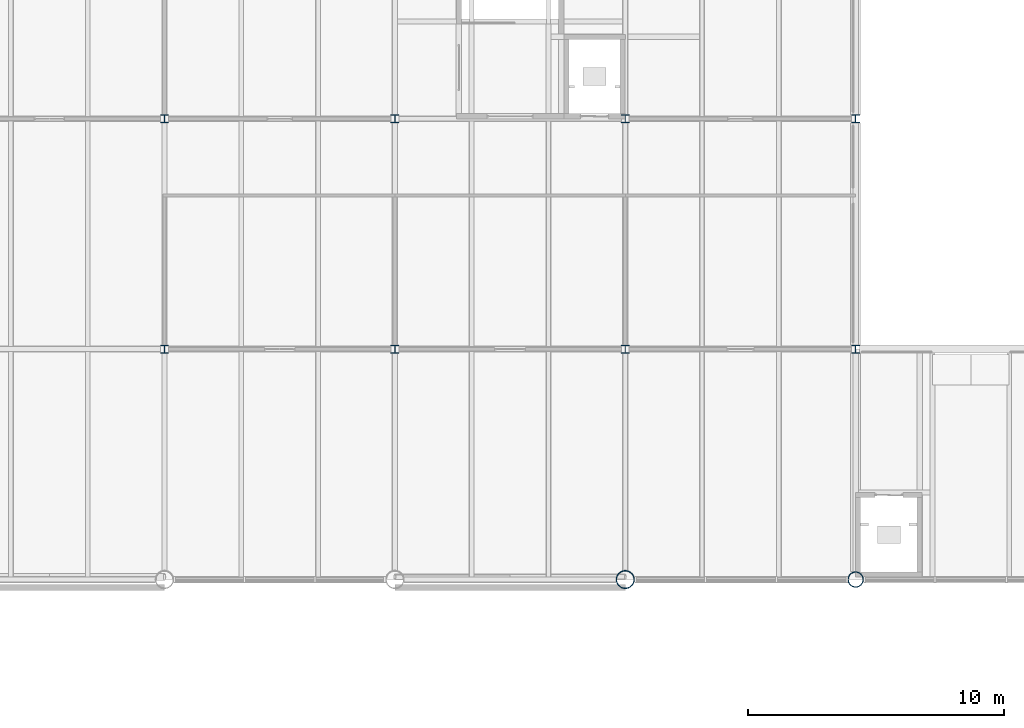
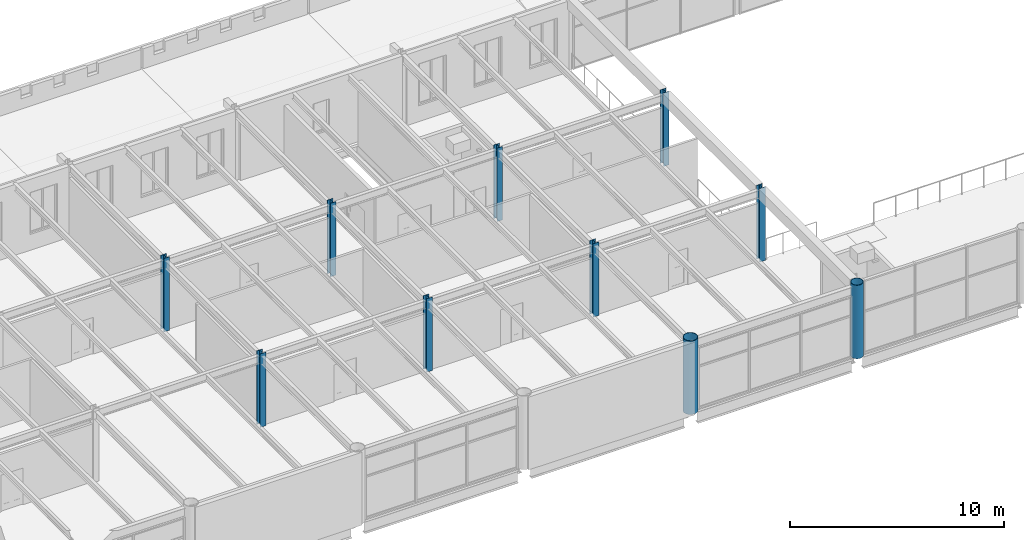
# One storey, part 9 of 123: 10 columns.
"""IFC4 building model written with IfcOpenShell, lengths in metres."""

from ifc_helpers import new_model, si_unit, direction, frame, origin, origin_2d, place, context, subcontext, project, spatial, hollow_circle, i_section, extrude, material, material_profile, profile_set, type_object, element, save


model = new_model("IFC4")

# Units and contexts
model_context = context("Model", 3, precision=1e-05, world=origin(), true_north=direction((0.0, 1.0)))
body_context = subcontext(model_context, "Body", "Model", "MODEL_VIEW")
ifc_project = project(units=[si_unit("LENGTHUNIT", "METRE"), si_unit("AREAUNIT", "SQUARE_METRE"), si_unit("VOLUMEUNIT", "CUBIC_METRE"), si_unit("PLANEANGLEUNIT", "RADIAN"), si_unit("MASSUNIT", "GRAM", prefix="KILO")], contexts=[model_context])

# Site, building, storey
site_placement = place(None, origin())
site = spatial("IfcSite", under=ifc_project, at=site_placement, CompositionType="ELEMENT")
building_placement = place(site_placement, origin())
building = spatial("IfcBuilding", under=site, at=building_placement, Name="Baradari Gate Terminus", CompositionType="ELEMENT")
storey_placement = place(building_placement, frame((0.0, 0.0, 7.5)))
storey = spatial("IfcBuildingStorey", under=building, at=storey_placement, Name="L01", CompositionType="ELEMENT", Elevation=7.5)

# Columns
ifc_material_1 = material(Name="Steel S355", Category="steel")
ifc_material_profile_1 = material_profile(ifc_material_1, hollow_circle(Radius=0.35546875, WallThickness=0.02490234375, at=origin_2d()), Name="CHS 711x25")
ifc_profile_set_1 = profile_set([ifc_material_profile_1], Name="Steel S355")
column_type_1 = type_object("IfcColumnType", Name="Braced north shed column C10 CHS 711x25", PredefinedType="COLUMN", material=ifc_profile_set_1)
column_1_placement = place(storey_placement, frame((126.0, 81.0, 0.0), z_axis=(0.0, 0.0, 1.0), x_axis=(1.0, 0.0, 0.0)))
element("IfcColumn", 1, at=column_1_placement, inside=storey, type_object=column_type_1, Name="C10 column 15-K L01", PredefinedType="COLUMN", context=body_context, shape_type="SweptSolid", body=[
    extrude(hollow_circle(Radius=0.35546875, WallThickness=0.02490234375, at=origin_2d()), origin(), (0.0, 0.0, 1.0), 4.199951171875),
])
ifc_material_2 = material(Name="Steel S355", Category="steel")
ifc_material_profile_2 = material_profile(ifc_material_2, i_section(OverallWidth=0.307373046875, OverallDepth=0.314453125, WebThickness=0.011962890625, FlangeThickness=0.018798828125, FilletRadius=0.01513671875, at=origin_2d()), Name="UC 305x305x118")
ifc_profile_set_2 = profile_set([ifc_material_profile_2], Name="Steel S355")
column_type_2 = type_object("IfcColumnType", Name="Head-house column C07 UC 305x305x118", PredefinedType="COLUMN", material=ifc_profile_set_2)
for number, where, z_axis, x_axis, name in (
    (2, (108.0, 90.0, 0.0), (0.0, 0.0, 1.0), (1.0, 0.0, 0.0), "C07 column 13-L L01"),
    (3, (108.0, 99.0, 0.0), (0.0, 0.0, 1.0), (1.0, 0.0, 0.0), "C07 column 13-M L01"),
    (4, (117.0, 90.0, 0.0), (0.0, 0.0, 1.0), (1.0, 0.0, 0.0), "C07 column 14-L L01"),
    (5, (117.0, 99.0, 0.0), (0.0, 0.0, 1.0), (1.0, 0.0, 0.0), "C07 column 14-M L01"),
    (6, (126.0, 90.0, 0.0), (0.0, 0.0, 1.0), (1.0, 0.0, 0.0), "C07 column 15-L L01"),
    (7, (126.0, 99.0, 0.0), (0.0, 0.0, 1.0), (1.0, 0.0, 0.0), "C07 column 15-M L01"),
    (8, (135.0, 90.0, 0.0), (0.0, 0.0, 1.0), (1.0, 0.0, 0.0), "C07 column 16-L L01"),
    (9, (135.0, 99.0, 0.0), (0.0, 0.0, 1.0), (1.0, 0.0, 0.0), "C07 column 16-M L01"),
):
    element("IfcColumn", number, at=place(storey_placement, frame(where, z_axis=z_axis, x_axis=x_axis)), inside=storey, type_object=column_type_2, Name=name, PredefinedType="COLUMN", context=body_context, shape_type="SweptSolid", body=[
        extrude(i_section(OverallWidth=0.307373046875, OverallDepth=0.314453125, WebThickness=0.011962890625, FlangeThickness=0.018798828125, FilletRadius=0.01513671875, at=origin_2d()), origin(), (0.0, 0.0, 1.0), 4.199951171875),
    ])
ifc_material_3 = material(Name="Steel S355", Category="steel")
ifc_material_profile_3 = material_profile(ifc_material_3, hollow_circle(Radius=0.304931640625, WallThickness=0.02490234375, at=origin_2d()), Name="CHS 610x25")
ifc_profile_set_3 = profile_set([ifc_material_profile_3], Name="Steel S355")
column_type_3 = type_object("IfcColumnType", Name="North shed column C12 CHS 610x25", PredefinedType="COLUMN", material=ifc_profile_set_3)
column_2_placement = place(storey_placement, frame((135.0, 81.0, 0.0), z_axis=(0.0, 0.0, 1.0), x_axis=(1.0, 0.0, 0.0)))
element("IfcColumn", 10, at=column_2_placement, inside=storey, type_object=column_type_3, Name="C12 column 16-K L01", PredefinedType="COLUMN", context=body_context, shape_type="SweptSolid", body=[
    extrude(hollow_circle(Radius=0.304931640625, WallThickness=0.02490234375, at=origin_2d()), origin(), (0.0, 0.0, 1.0), 4.199951171875),
])

save(model, "model.ifc")
